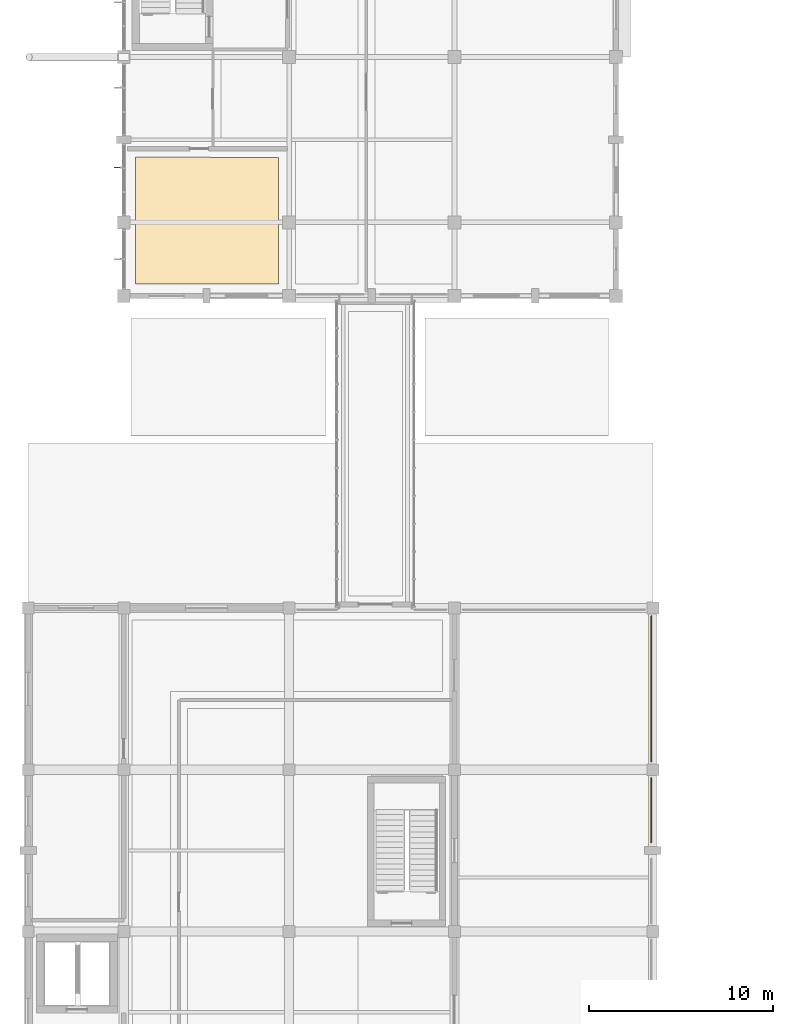
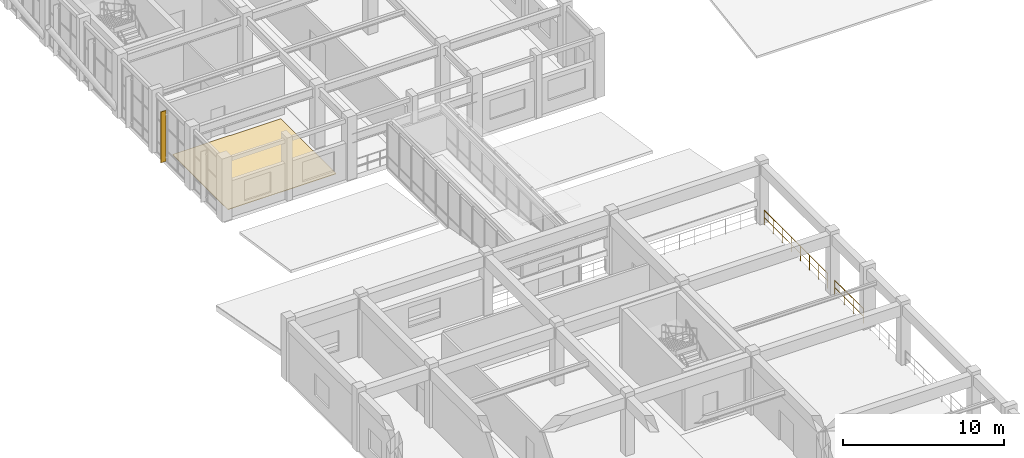
# One storey, part 97 of 104: 2 railings, 1 covering, 1 shading device.
"""IFC4 building model written with IfcOpenShell, lengths in metres."""

from ifc_helpers import new_model, si_unit, direction, frame, origin, origin_2d, place, context, subcontext, project, spatial, polyline, rectangle, circle, outline, extrude, material, layer, layer_set, type_object, element, save


model = new_model("IFC4")

# Units and contexts
model_context = context("Model", 3, precision=1e-05, world=origin(), true_north=direction((0.0, 1.0)))
body_context = subcontext(model_context, "Body", "Model", "MODEL_VIEW")
ifc_project = project(units=[si_unit("LENGTHUNIT", "METRE"), si_unit("AREAUNIT", "SQUARE_METRE"), si_unit("VOLUMEUNIT", "CUBIC_METRE"), si_unit("PLANEANGLEUNIT", "RADIAN"), si_unit("MASSUNIT", "GRAM", prefix="KILO")], contexts=[model_context])

# Site, building, storey
site_placement = place(None, origin())
site = spatial("IfcSite", under=ifc_project, at=site_placement, CompositionType="ELEMENT")
building_placement = place(site_placement, origin())
building = spatial("IfcBuilding", under=site, at=building_placement, Name="Ventoquebrada Cableway Terminal", CompositionType="ELEMENT")
storey_placement = place(building_placement, frame((0.0, 0.0, 4.800048828125)))
storey = spatial("IfcBuildingStorey", under=building, at=storey_placement, Name="L01", CompositionType="ELEMENT", Elevation=4.800048828125)

# Covering
ifc_material_1 = material(Name="Honed volcanic basalt stone flooring", Category="masonry")
ifc_layer = layer(ifc_material_1, 0.034912109375)
ifc_layer_set = layer_set([ifc_layer], Name="Honed volcanic basalt stone flooring")
covering_type = type_object("IfcCoveringType", Name="COV-FL01", PredefinedType="FLOORING", material=ifc_layer_set)
covering_placement = place(storey_placement, origin())
element("IfcCovering", 1, at=covering_placement, inside=storey, type_object=covering_type, Name="Honed basalt floor finish FL-08", PredefinedType="FLOORING", context=body_context, shape_type="SweptSolid", body=[
    extrude(outline(polyline([(16.6298828125, 64.64990234375), (16.6298828125, 71.530029296875), (12.9580078125, 71.530029296875), (12.910888671875, 71.550048828125), (8.85009765625, 71.550048828125), (8.85009765625, 64.64990234375), (16.6298828125, 64.64990234375)])), origin(), (0.0, 0.0, 1.0), 0.034912109375),
])

# Railings
ifc_material_2 = material(Name="Brushed stainless steel Grade 316", Category="steel")
railing_type = type_object("IfcRailingType", Name="RL-GD02", PredefinedType="BALUSTRADE", material=ifc_material_2)
railing_1_placement = place(storey_placement, frame((36.919921875, 46.55810546875, 0.0)))
element("IfcRailing", 2, at=railing_1_placement, inside=storey, type_object=railing_type, Name="Terrace balustrade GR-E082", PredefinedType="BALUSTRADE", context=body_context, shape_type="SweptSolid", body=[
    extrude(circle(Radius=0.02392578125, at=origin_2d()), frame((0.0, -0.001953125, 1.1259765625), z_axis=(0.0, -1.0, 0.0), x_axis=(1.0, 0.0, 0.0)), (0.0, 0.0, 1.0), 7.912109375),
    extrude(circle(Radius=0.01611328125, at=origin_2d()), frame((0.0, -0.001953125, 0.574951171875), z_axis=(0.0, -1.0, 0.0), x_axis=(1.0, 0.0, 0.0)), (0.0, 0.0, 1.0), 7.912109375),
    extrude(circle(Radius=0.02099609375, at=origin_2d()), origin(), (0.0, 0.0, 1.0), 1.101806640625),
    extrude(circle(Radius=0.02099609375, at=origin_2d()), frame((0.0, -1.130859375, 0.0)), (0.0, 0.0, 1.0), 1.101806640625),
    extrude(circle(Radius=0.02099609375, at=origin_2d()), frame((0.0, -2.26171875, 0.0)), (0.0, 0.0, 1.0), 1.101806640625),
    extrude(circle(Radius=0.02099609375, at=origin_2d()), frame((0.0, -3.392578125, 0.0)), (0.0, 0.0, 1.0), 1.101806640625),
    extrude(circle(Radius=0.02099609375, at=origin_2d()), frame((0.0, -4.5234375, 0.0)), (0.0, 0.0, 1.0), 1.101806640625),
    extrude(circle(Radius=0.02099609375, at=origin_2d()), frame((0.0, -5.654296875, 0.0)), (0.0, 0.0, 1.0), 1.101806640625),
    extrude(circle(Radius=0.02099609375, at=origin_2d()), frame((0.0, -6.78515625, 0.0)), (0.0, 0.0, 1.0), 1.101806640625),
    extrude(circle(Radius=0.02099609375, at=origin_2d()), frame((0.0, -7.916015625, 0.0)), (0.0, 0.0, 1.0), 1.101806640625),
])
railing_2_placement = place(storey_placement, frame((36.919921875, 37.758056640625, 0.0)))
element("IfcRailing", 3, at=railing_2_placement, inside=storey, type_object=railing_type, Name="Terrace balustrade GR-E083", PredefinedType="BALUSTRADE", context=body_context, shape_type="SweptSolid", body=[
    extrude(circle(Radius=0.02392578125, at=origin_2d()), frame((0.0, -0.001953125, 1.1259765625), z_axis=(0.0, -1.0, 0.0), x_axis=(1.0, 0.0, 0.0)), (0.0, 0.0, 1.0), 3.51220703125),
    extrude(circle(Radius=0.01611328125, at=origin_2d()), frame((0.0, -0.001953125, 0.574951171875), z_axis=(0.0, -1.0, 0.0), x_axis=(1.0, 0.0, 0.0)), (0.0, 0.0, 1.0), 3.51220703125),
    extrude(circle(Radius=0.02099609375, at=origin_2d()), origin(), (0.0, 0.0, 1.0), 1.101806640625),
    extrude(circle(Radius=0.02099609375, at=origin_2d()), frame((0.0, -1.172119140625, 0.0)), (0.0, 0.0, 1.0), 1.101806640625),
    extrude(circle(Radius=0.02099609375, at=origin_2d()), frame((0.0, -2.343994140625, 0.0)), (0.0, 0.0, 1.0), 1.101806640625),
    extrude(circle(Radius=0.02099609375, at=origin_2d()), frame((0.0, -3.51611328125, 0.0)), (0.0, 0.0, 1.0), 1.101806640625),
])

# Shading device
ifc_material_3 = material(Name="Anodized thermally-broken aluminium", Category="aluminium")
shading_device_type = type_object("IfcShadingDeviceType", Name="SHD-AW1", PredefinedType="AWNING", material=ifc_material_3)
shading_device_placement = place(storey_placement, frame((7.860107421875, 70.98193359375, 0.14990234375), z_axis=(0.0, 0.0, 1.0), x_axis=(0.0, -1.0, 0.0)))
element("IfcShadingDevice", 4, at=shading_device_placement, inside=storey, type_object=shading_device_type, Name="Extruded aluminium sunshade fin FN-008", PredefinedType="AWNING", context=body_context, shape_type="SweptSolid", body=[
    extrude(rectangle(XDim=0.044921875, YDim=0.360107421875, at=origin_2d()), origin(), (0.0, 0.0, 1.0), 3.860107421875),
])

save(model, "model.ifc")
